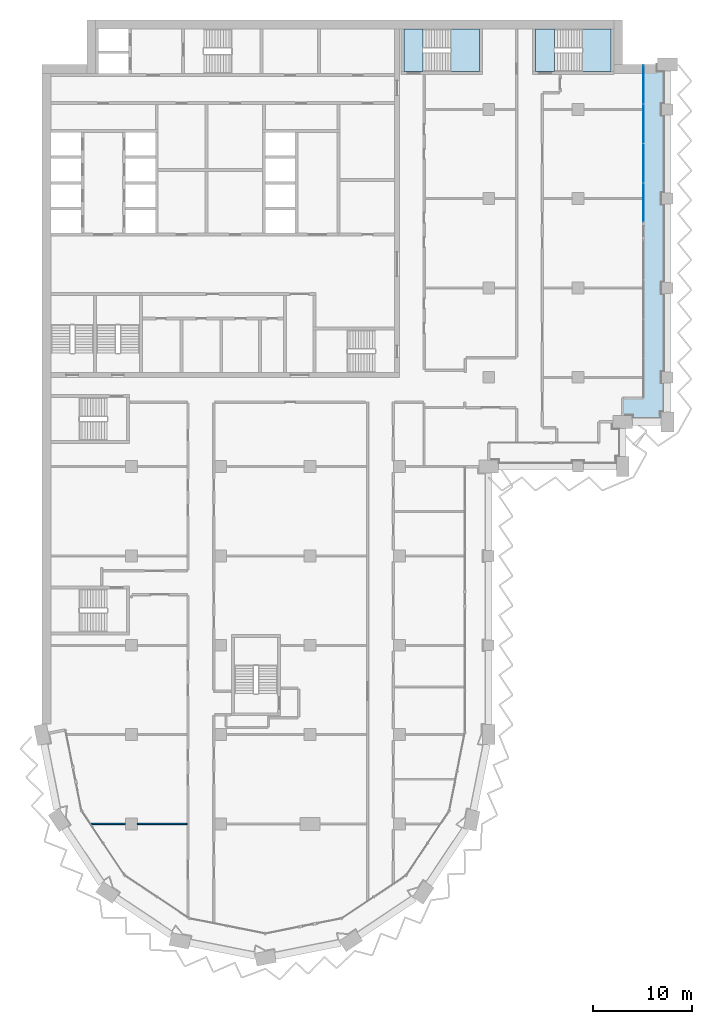
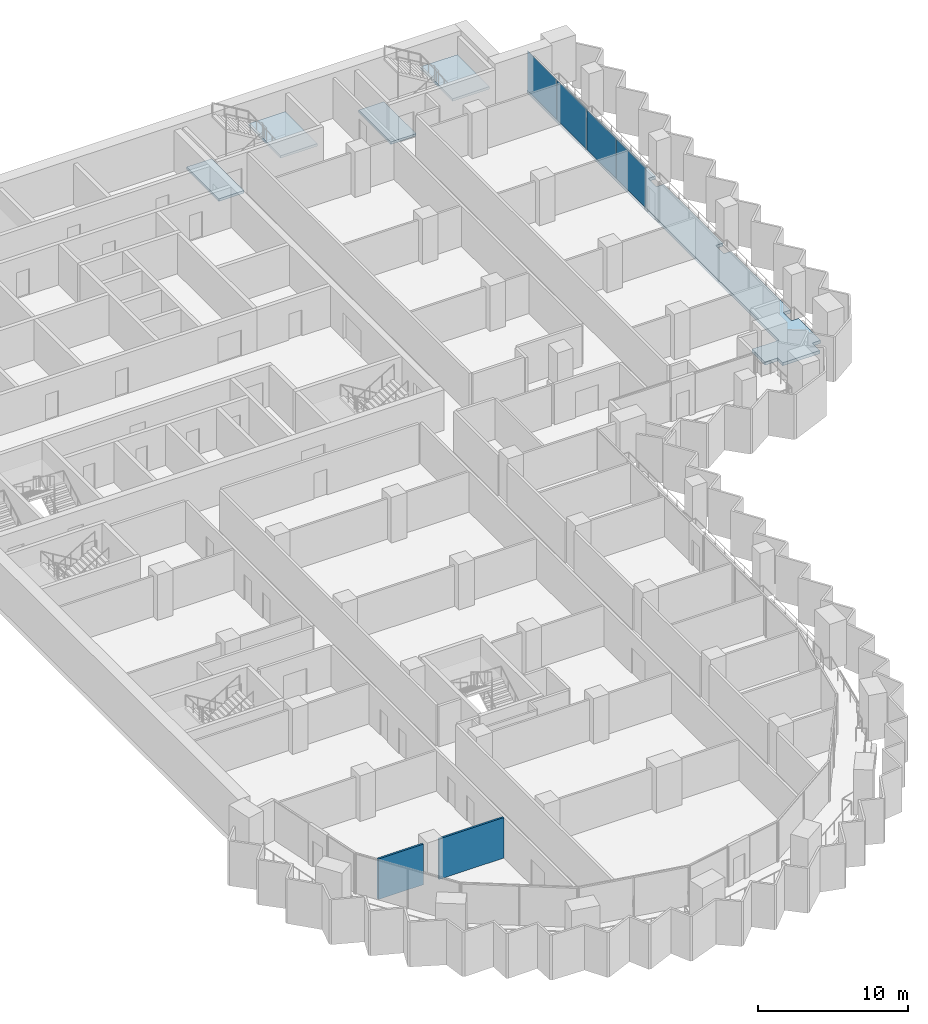
# One storey, part 7 of 22: 5 slabs, 4 plates, 2 walls, 3 elements without a shape of their own.
"""IFC4 building model written with IfcOpenShell, lengths in metres."""

from ifc_helpers import new_model, si_unit, direction, frame, frame_2d, origin, origin_2d, place, context, subcontext, project, spatial, polyline, rectangle, outline, extrude, material, layer, layer_set, type_object, element, aggregate, save


model = new_model("IFC4")

# Units and contexts
model_context = context("Model", 3, precision=1e-05, world=origin(), true_north=direction((0.0, 1.0)))
body_context = subcontext(model_context, "Body", "Model", "MODEL_VIEW")
ifc_project = project(units=[si_unit("LENGTHUNIT", "METRE"), si_unit("AREAUNIT", "SQUARE_METRE"), si_unit("VOLUMEUNIT", "CUBIC_METRE"), si_unit("PLANEANGLEUNIT", "RADIAN"), si_unit("MASSUNIT", "GRAM", prefix="KILO")], contexts=[model_context])

# Site, building, storey
site_placement = place(None, origin())
site = spatial("IfcSite", under=ifc_project, at=site_placement, CompositionType="ELEMENT")
building_placement = place(site_placement, origin())
building = spatial("IfcBuilding", under=site, at=building_placement, Name="Hunhe Ridgeline Campus", CompositionType="ELEMENT")
storey_placement = place(building_placement, frame((0.0, 0.0, 137.5)))
storey = spatial("IfcBuildingStorey", under=building, at=storey_placement, Name="L34", CompositionType="ELEMENT", Elevation=137.5)

# Curtain wall, plates
ifc_material_1 = material(Name="Aluminium 6063", Category="aluminium")
curtain_wall_type = type_object("IfcCurtainWallType", Name="Curtain wall CW-1", PredefinedType="NOTDEFINED", material=ifc_material_1)
curtain_wall_placement = place(storey_placement, origin())
curtain_wall = element("IfcCurtainWall", 1, at=curtain_wall_placement, inside=storey, type_object=curtain_wall_type, Name="Curtain wall 16", PredefinedType="NOTDEFINED")
ifc_material_2 = material(Name="Low-e laminated glass", Category="glass")
ifc_layer_1 = layer(ifc_material_2, 0.028076171875)
ifc_layer_set_1 = layer_set([ifc_layer_1], Name="Curtain wall glass panel 28 low-e laminated")
plate_type = type_object("IfcPlateType", Name="Curtain wall glass panel 28 low-e laminated", PredefinedType="CURTAIN_PANEL", material=ifc_layer_set_1)
plate_1_placement = place(storey_placement, frame((60.59912109375, 80.60302734375, 0.0), z_axis=(0.0, 0.0, 1.0), x_axis=(0.0, 1.0, 0.0)))
plate_1 = element("IfcPlate", 2, at=plate_1_placement, type_object=plate_type, Name="CW-1 panel 1", PredefinedType="CURTAIN_PANEL", context=body_context, shape_type="SweptSolid", body=[
    extrude(rectangle(XDim=3.884765625, YDim=0.028076171875, at=origin_2d()), origin(), (0.0, 0.0, 1.0), 3.239990234375),
])
plate_2_placement = place(storey_placement, frame((60.59912109375, 84.562744140625, 0.0), z_axis=(0.0, 0.0, 1.0), x_axis=(0.0, 1.0, 0.0)))
plate_2 = element("IfcPlate", 3, at=plate_2_placement, type_object=plate_type, Name="CW-1 panel 2", PredefinedType="CURTAIN_PANEL", context=body_context, shape_type="SweptSolid", body=[
    extrude(rectangle(XDim=3.914794921875, YDim=0.028076171875, at=origin_2d()), origin(), (0.0, 0.0, 1.0), 3.239990234375),
])
plate_3_placement = place(storey_placement, frame((60.59912109375, 88.53759765625, 0.0), z_axis=(0.0, 0.0, 1.0), x_axis=(0.0, 1.0, 0.0)))
plate_3 = element("IfcPlate", 4, at=plate_3_placement, type_object=plate_type, Name="CW-1 panel 3", PredefinedType="CURTAIN_PANEL", context=body_context, shape_type="SweptSolid", body=[
    extrude(rectangle(XDim=3.914794921875, YDim=0.028076171875, at=origin_2d()), origin(), (0.0, 0.0, 1.0), 3.239990234375),
])
plate_4_placement = place(storey_placement, frame((60.59912109375, 92.49755859375, 0.0), z_axis=(0.0, 0.0, 1.0), x_axis=(0.0, 1.0, 0.0)))
plate_4 = element("IfcPlate", 5, at=plate_4_placement, type_object=plate_type, Name="CW-1 panel 4", PredefinedType="CURTAIN_PANEL", context=body_context, shape_type="SweptSolid", body=[
    extrude(rectangle(XDim=3.884765625, YDim=0.028076171875, at=origin_2d()), origin(), (0.0, 0.0, 1.0), 3.239990234375),
])
aggregate(curtain_wall, [plate_1, plate_2, plate_3, plate_4])

# Slab
ifc_material_3 = material(Name="Concrete C40", Category="concrete")
ifc_layer_2 = layer(ifc_material_3, 0.25)
ifc_layer_set_2 = layer_set([ifc_layer_2], Name="Loggia slab 250 Concrete C40")
slab_type_1 = type_object("IfcSlabType", Name="Loggia slab 250 Concrete C40", PredefinedType="FLOOR", material=ifc_layer_set_2)
slab_1_placement = place(storey_placement, frame((0.0, 0.0, -0.25)))
element("IfcSlab", 6, at=slab_1_placement, inside=storey, type_object=slab_type_1, Name="Loggia slab 3", PredefinedType="FLOOR", context=body_context, shape_type="SweptSolid", body=[
    extrude(outline(polyline([(58.5, 59.14990234375), (59.5, 59.14990234375), (59.5, 58.5), (62.35009765625, 58.5), (62.35009765625, 59.5), (63.0, 59.5), (63.0, 62.449951171875), (62.449951171875, 62.449951171875), (62.449951171875, 63.550048828125), (63.0, 63.550048828125), (63.0, 71.449951171875), (62.449951171875, 71.449951171875), (62.449951171875, 72.550048828125), (63.0, 72.550048828125), (63.0, 80.449951171875), (62.449951171875, 80.449951171875), (62.449951171875, 81.550048828125), (63.0, 81.550048828125), (63.0, 89.449951171875), (62.449951171875, 89.449951171875), (62.449951171875, 90.550048828125), (63.0, 90.550048828125), (63.0, 93.85009765625), (62.0, 93.85009765625), (62.0, 94.5), (60.60009765625, 94.5), (60.60009765625, 60.89990234375), (58.5, 60.89990234375), (58.5, 59.14990234375)])), origin(), (0.0, 0.0, 1.0), 0.25),
])

# Stair, slab
stair_type = type_object("IfcStairType", Name="Reinforced concrete dog-leg stair 1950 Concrete C40", PredefinedType="HALF_TURN_STAIR", material=ifc_material_3)
stair_1_placement = place(storey_placement, origin())
stair_1 = element("IfcStair", 7, at=stair_1_placement, inside=storey, type_object=stair_type, Name="L34 E1", PredefinedType="HALF_TURN_STAIR")
ifc_layer_3 = layer(ifc_material_3, 0.199951171875)
ifc_layer_set_3 = layer_set([ifc_layer_3], Name="Reinforced concrete stair landing 200 Concrete C40")
slab_type_2 = type_object("IfcSlabType", Name="Reinforced concrete stair landing 200 Concrete C40", PredefinedType="LANDING", material=ifc_layer_set_3)
slab_2_placement = place(storey_placement, frame((0.0, 0.0, 1.64990234375)))
slab_2 = element("IfcSlab", 8, at=slab_2_placement, type_object=slab_type_2, Name="ST5 landing 1", PredefinedType="LANDING", context=body_context, shape_type="SweptSolid", body=[
    extrude(outline(polyline([(41.199951171875, 93.800048828125), (44.050048828125, 93.800048828125), (44.050048828125, 98.10009765625), (41.199951171875, 98.10009765625), (41.199951171875, 93.800048828125)])), origin(), (0.0, 0.0, 1.0), 0.2001953125),
])
aggregate(stair_1, [slab_2])

# Slab
slab_3_placement = place(storey_placement, frame((0.0, 0.0, -0.199951171875)))
element("IfcSlab", 9, at=slab_3_placement, inside=storey, type_object=slab_type_2, Name="L34 stair E1 floor landing", PredefinedType="LANDING", context=body_context, shape_type="SweptSolid", body=[
    extrude(outline(polyline([(36.449951171875, 93.800048828125), (38.39990234375, 93.800048828125), (38.39990234375, 98.10009765625), (36.449951171875, 98.10009765625), (36.449951171875, 93.800048828125)])), origin(), (0.0, 0.0, 1.0), 0.199951171875),
])

# Stair, slab
stair_2_placement = place(storey_placement, origin())
stair_2 = element("IfcStair", 10, at=stair_2_placement, inside=storey, type_object=stair_type, Name="L34 E2", PredefinedType="HALF_TURN_STAIR")
slab_4_placement = place(storey_placement, frame((0.0, 0.0, 1.64990234375)))
slab_4 = element("IfcSlab", 11, at=slab_4_placement, type_object=slab_type_2, Name="ST6 landing 1", PredefinedType="LANDING", context=body_context, shape_type="SweptSolid", body=[
    extrude(outline(polyline([(54.449951171875, 93.800048828125), (57.300048828125, 93.800048828125), (57.300048828125, 98.10009765625), (54.449951171875, 98.10009765625), (54.449951171875, 93.800048828125)])), origin(), (0.0, 0.0, 1.0), 0.2001953125),
])
aggregate(stair_2, [slab_4])

# Slab
slab_5_placement = place(storey_placement, frame((0.0, 0.0, -0.199951171875)))
element("IfcSlab", 12, at=slab_5_placement, inside=storey, type_object=slab_type_2, Name="L34 stair E2 floor landing", PredefinedType="LANDING", context=body_context, shape_type="SweptSolid", body=[
    extrude(outline(polyline([(49.699951171875, 93.800048828125), (51.64990234375, 93.800048828125), (51.64990234375, 98.10009765625), (49.699951171875, 98.10009765625), (49.699951171875, 93.800048828125)])), origin(), (0.0, 0.0, 1.0), 0.199951171875),
])

# Walls
ifc_material_4 = material(Name="Gypsum board partition")
ifc_layer_4 = layer(ifc_material_4, 0.14990234375)
ifc_layer_set_4 = layer_set([ifc_layer_4], Name="Room partition 150 gypsum board on steel studs")
wall_type = type_object("IfcWallType", Name="Room partition 150 gypsum board on steel studs", PredefinedType="PARTITIONING", material=ifc_layer_set_4)
wall_1_placement = place(storey_placement, frame((4.925537109375, 18.0, 0.0), z_axis=(0.0, 0.0, 1.0), x_axis=(1.0, 0.0, 0.0)))
element("IfcWall", 13, at=wall_1_placement, inside=storey, type_object=wall_type, Name="F-L34-wall-001", PredefinedType="PARTITIONING", context=body_context, shape_type="SweptSolid", body=[
    extrude(rectangle(XDim=3.474365234375, YDim=0.14990234375, at=frame_2d((1.7373046875, 0.0))), origin(), (0.0, 0.0, 1.0), 3.300048828125),
])
wall_2_placement = place(storey_placement, frame((9.60009765625, 18.0, 0.0), z_axis=(0.0, 0.0, 1.0), x_axis=(1.0, 0.0, 0.0)))
element("IfcWall", 14, at=wall_2_placement, inside=storey, type_object=wall_type, Name="F-L34-wall-002", PredefinedType="PARTITIONING", context=body_context, shape_type="SweptSolid", body=[
    extrude(rectangle(XDim=5.0, YDim=0.14990234375, at=frame_2d((2.5, 0.0))), origin(), (0.0, 0.0, 1.0), 3.300048828125),
])

save(model, "model.ifc")
